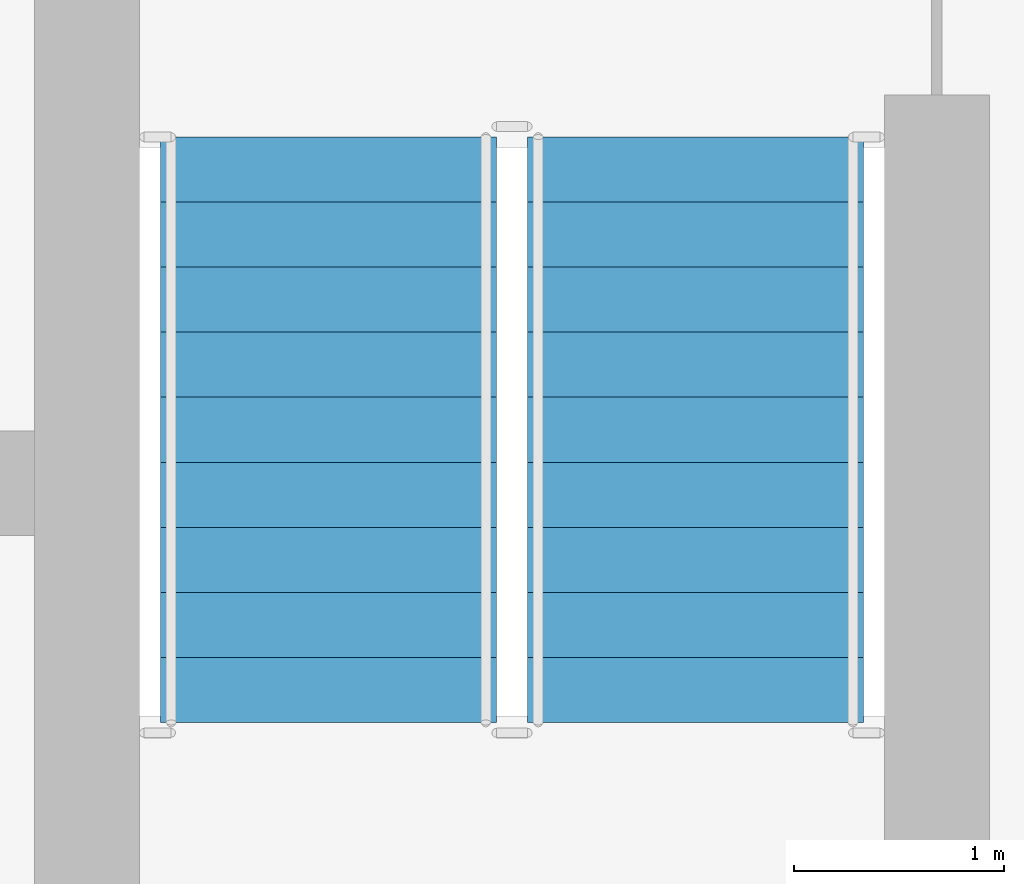
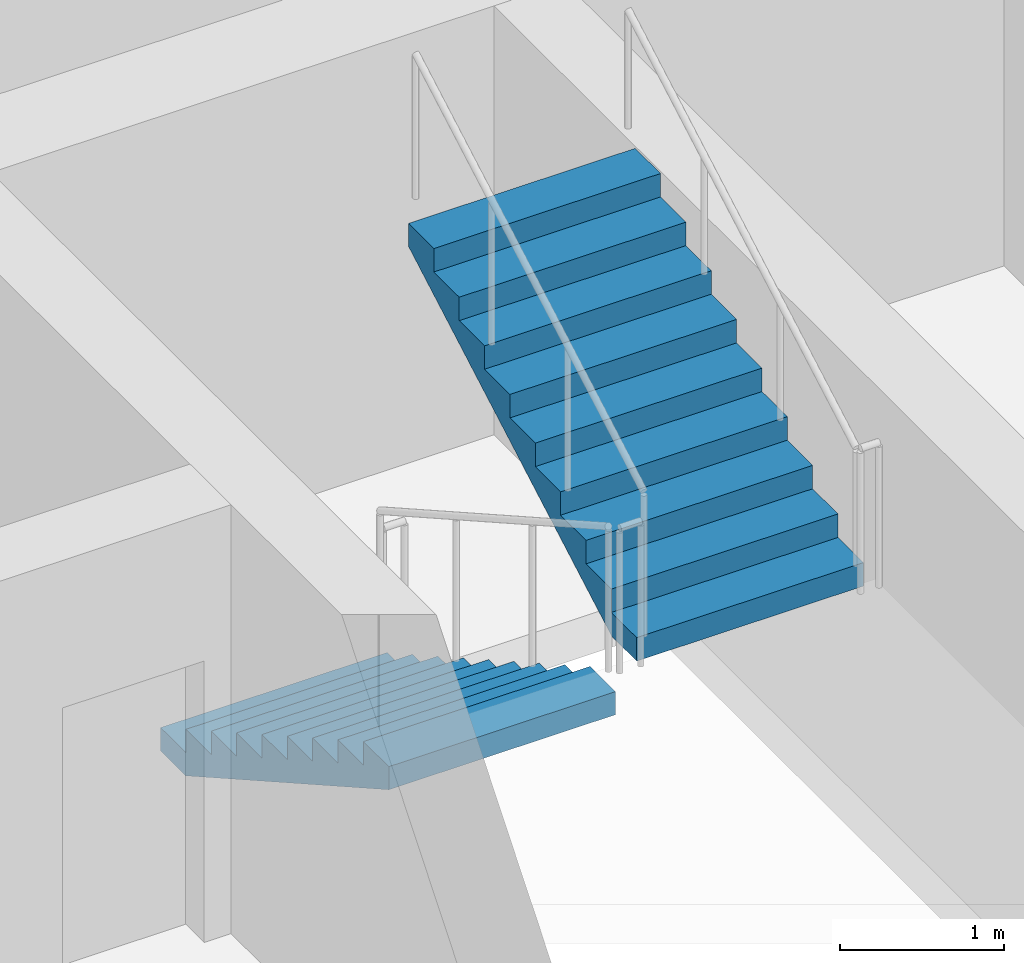
# One storey, part 16 of 22: 2 stair flights, 1 element without a shape of its own.
"""IFC4 building model written with IfcOpenShell, lengths in metres."""

from ifc_helpers import new_model, si_unit, direction, frame, origin, place, context, subcontext, project, spatial, polyline, outline, extrude, material, type_object, element, aggregate, save


model = new_model("IFC4")

# Units and contexts
model_context = context("Model", 3, precision=1e-05, world=origin(), true_north=direction((0.0, 1.0)))
body_context = subcontext(model_context, "Body", "Model", "MODEL_VIEW")
ifc_project = project(units=[si_unit("LENGTHUNIT", "METRE"), si_unit("AREAUNIT", "SQUARE_METRE"), si_unit("VOLUMEUNIT", "CUBIC_METRE"), si_unit("PLANEANGLEUNIT", "RADIAN"), si_unit("MASSUNIT", "GRAM", prefix="KILO")], contexts=[model_context])

# Site, building, storey
site_placement = place(None, origin())
site = spatial("IfcSite", under=ifc_project, at=site_placement, CompositionType="ELEMENT")
building_placement = place(site_placement, origin())
building = spatial("IfcBuilding", under=site, at=building_placement, Name="Madar Terraces", CompositionType="ELEMENT")
storey_placement = place(building_placement, frame((0.0, 0.0, 192.89990234375)))
storey = spatial("IfcBuildingStorey", under=building, at=storey_placement, Name="L50", CompositionType="ELEMENT", Elevation=192.89990234375)

# Stair, stair flights
ifc_material_1 = material(Name="Concrete C50/60", Category="concrete")
stair_type = type_object("IfcStairType", Name="Stair ST2 protected exit", PredefinedType="HALF_TURN_STAIR", material=ifc_material_1)
stair_placement = place(storey_placement, origin())
stair = element("IfcStair", 1, at=stair_placement, inside=storey, type_object=stair_type, Name="L50 Protected Exit Stair ST2", PredefinedType="HALF_TURN_STAIR")
ifc_material_2 = material(Name="Concrete C50/60", Category="concrete")
stair_flight_type = type_object("IfcStairFlightType", Name="Stair flight ST2-F4, 1600 wide, 10 risers", PredefinedType="STRAIGHT", material=ifc_material_2)
stair_flight_1_placement = place(storey_placement, frame((40.449951171875, 35.199951171875, 0.0), z_axis=(0.0, 0.0, 1.0), x_axis=(0.0, -1.0, 0.0)))
stair_flight_1 = element("IfcStairFlight", 2, at=stair_flight_1_placement, type_object=stair_flight_type, Name="ST2 flight 1", NumberOfRisers=10, NumberOfTreads=9, PredefinedType="STRAIGHT", RiserHeight=0.175, TreadLength=0.31, context=body_context, shape_type="SweptSolid", body=[
    extrude(outline(polyline([(0.0, 0.0), (0.0, 0.175048828125), (0.31005859375, 0.175048828125), (0.31005859375, 0.35009765625), (0.6201171875, 0.35009765625), (0.6201171875, 0.52490234375), (0.929931640625, 0.52490234375), (0.929931640625, 0.699951171875), (1.239990234375, 0.699951171875), (1.239990234375, 0.875), (1.550048828125, 0.875), (1.550048828125, 1.050048828125), (1.860107421875, 1.050048828125), (1.860107421875, 1.22509765625), (2.169921875, 1.22509765625), (2.169921875, 1.39990234375), (2.47998046875, 1.39990234375), (2.47998046875, 1.574951171875), (2.7900390625, 1.574951171875), (2.7900390625, 1.75), (2.7900390625, 1.40283203125), (0.304931640625, 0.0), (0.0, 0.0)])), frame((0.0, 0.800048828125, 0.0), z_axis=(0.0, -1.0, 0.0), x_axis=(1.0, 0.0, 0.0)), (0.0, 0.0, 1.0), 1.60009765625),
])
stair_flight_2_placement = place(storey_placement, frame((42.199951171875, 32.409912109375, 1.75), z_axis=(0.0, 0.0, 1.0), x_axis=(0.0, 1.0, 0.0)))
stair_flight_2 = element("IfcStairFlight", 3, at=stair_flight_2_placement, type_object=stair_flight_type, Name="ST2 flight 2", NumberOfRisers=10, NumberOfTreads=9, PredefinedType="STRAIGHT", RiserHeight=0.175, TreadLength=0.31, context=body_context, shape_type="SweptSolid", body=[
    extrude(outline(polyline([(0.0, 0.0), (0.0, 0.175048828125), (0.31005859375, 0.175048828125), (0.31005859375, 0.35009765625), (0.6201171875, 0.35009765625), (0.6201171875, 0.52490234375), (0.929931640625, 0.52490234375), (0.929931640625, 0.699951171875), (1.239990234375, 0.699951171875), (1.239990234375, 0.875), (1.550048828125, 0.875), (1.550048828125, 1.050048828125), (1.860107421875, 1.050048828125), (1.860107421875, 1.22509765625), (2.169921875, 1.22509765625), (2.169921875, 1.39990234375), (2.47998046875, 1.39990234375), (2.47998046875, 1.574951171875), (2.7900390625, 1.574951171875), (2.7900390625, 1.75), (2.7900390625, 1.40283203125), (0.304931640625, 0.0), (0.0, 0.0)])), frame((0.0, 0.800048828125, 0.0), z_axis=(0.0, -1.0, 0.0), x_axis=(1.0, 0.0, 0.0)), (0.0, 0.0, 1.0), 1.60009765625),
])
aggregate(stair, [stair_flight_1, stair_flight_2])

save(model, "model.ifc")
